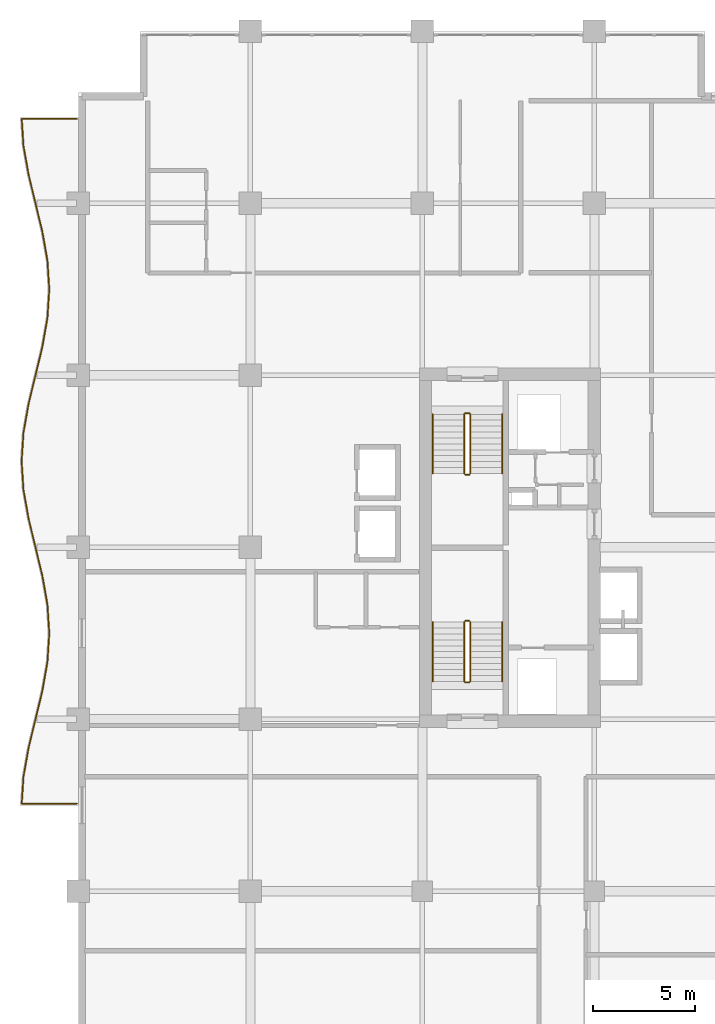
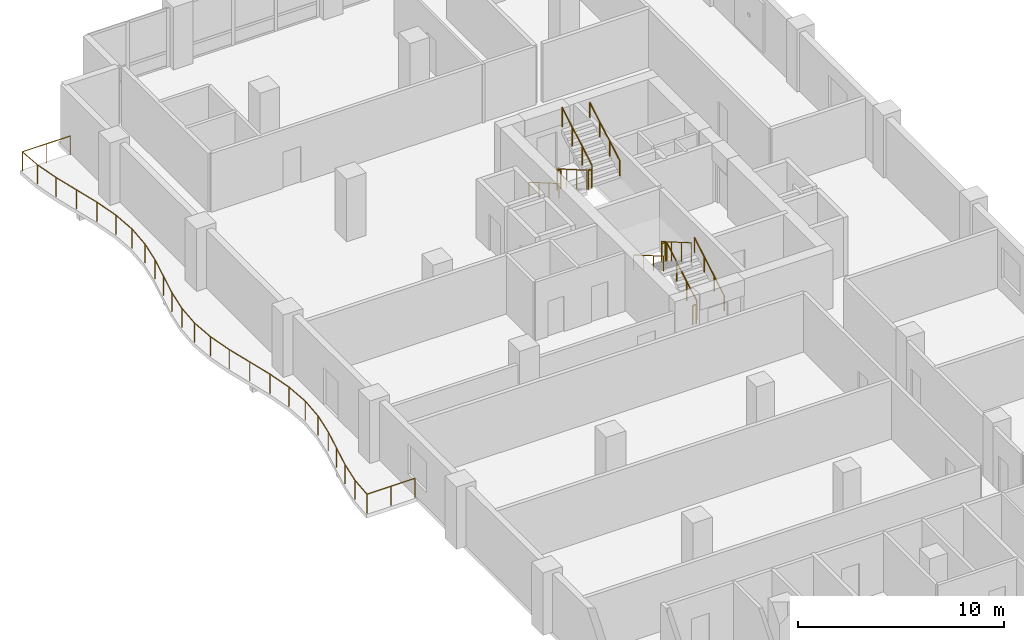
# One storey, part 17 of 18: 13 railings.
"""IFC4 building model written with IfcOpenShell, lengths in metres."""

from ifc_helpers import new_model, si_unit, direction, frame, origin, origin_2d, place, context, subcontext, project, spatial, circle, extrude, material, type_object, element, save


model = new_model("IFC4")

# Units and contexts
model_context = context("Model", 3, precision=1e-05, world=origin(), true_north=direction((0.0, 1.0)))
body_context = subcontext(model_context, "Body", "Model", "MODEL_VIEW")
ifc_project = project(units=[si_unit("LENGTHUNIT", "METRE"), si_unit("AREAUNIT", "SQUARE_METRE"), si_unit("VOLUMEUNIT", "CUBIC_METRE"), si_unit("PLANEANGLEUNIT", "RADIAN"), si_unit("MASSUNIT", "GRAM", prefix="KILO")], contexts=[model_context])

# Site, building, storey
site_placement = place(None, origin())
site = spatial("IfcSite", under=ifc_project, at=site_placement, CompositionType="ELEMENT")
building_placement = place(site_placement, origin())
building = spatial("IfcBuilding", under=site, at=building_placement, Name="Koriwani Terraces Tower", CompositionType="ELEMENT")
storey_placement = place(building_placement, frame((0.0, 0.0, 205.0)))
storey = spatial("IfcBuildingStorey", under=building, at=storey_placement, Name="L50", CompositionType="ELEMENT", Elevation=205.0)

# Railings
ifc_material = material(Name="Steel ASTM A572 Grade 50", Category="steel")
railing_type_1 = type_object("IfcRailingType", Name="GUARD_BALUSTRADE_1150", PredefinedType="BALUSTRADE", material=ifc_material)
railing_1_placement = place(storey_placement, frame((-0.080078125, 37.8798828125, 0.0)))
element("IfcRailing", 1, at=railing_1_placement, inside=storey, type_object=railing_type_1, Name="L50 Balcony Perimeter Safety Balustrade (W)", PredefinedType="BALUSTRADE", context=body_context, shape_type="SweptSolid", body=[
    extrude(circle(Radius=0.02392578125, at=origin_2d()), frame((0.0, 0.0, 1.1259765625), z_axis=(-1.0, 0.0, 0.0), x_axis=(0.0, -1.0, 0.0)), (0.0, 0.0, 1.0), 2.6845703125),
    extrude(circle(Radius=0.02392578125, at=origin_2d()), frame((-2.6845703125, 0.0, 1.1259765625), z_axis=(0.064322557637, 0.997929160101, 0.0), x_axis=(-0.997929160101, 0.064322557637, 0.0)), (0.0, 0.0, 1.0), 1.313232421875),
    extrude(circle(Radius=0.02392578125, at=origin_2d()), frame((-2.60009765625, 1.310546875, 1.1259765625), z_axis=(0.173932985997, 0.984757491153, 0.0), x_axis=(-0.984757491153, 0.173932985997, 0.0)), (0.0, 0.0, 1.0), 1.414794921875),
    extrude(circle(Radius=0.02392578125, at=origin_2d()), frame((-2.35400390625, 2.703857421875, 1.1259765625), z_axis=(0.234289744186, 0.972166814785, 0.0), x_axis=(-0.972166814785, 0.234289744186, 0.0)), (0.0, 0.0, 1.0), 2.880126953125),
    extrude(circle(Radius=0.02392578125, at=origin_2d()), frame((-1.67919921875, 5.50390625, 1.1259765625), z_axis=(0.173814583381, 0.984778396698, 0.0), x_axis=(-0.984778396698, 0.173814583381, 0.0)), (0.0, 0.0, 1.0), 1.428466796875),
    extrude(circle(Radius=0.02392578125, at=origin_2d()), frame((-1.430908203125, 6.91064453125, 1.1259765625), z_axis=(0.064304534842, 0.997930321615, 0.0), x_axis=(-0.997930321615, 0.064304534842, 0.0)), (0.0, 0.0, 1.0), 1.412353515625),
    extrude(circle(Radius=0.02392578125, at=origin_2d()), frame((-1.340087890625, 8.320068359375, 1.1259765625), z_axis=(-0.064293443969, 0.997931036226, 0.0), x_axis=(-0.997931036226, -0.064293443969, 0.0)), (0.0, 0.0, 1.0), 1.41259765625),
    extrude(circle(Radius=0.02392578125, at=origin_2d()), frame((-1.430908203125, 9.729736328125, 1.1259765625), z_axis=(-0.173814583381, 0.984778396698, 0.0), x_axis=(-0.984778396698, -0.173814583381, 0.0)), (0.0, 0.0, 1.0), 1.428466796875),
    extrude(circle(Radius=0.02392578125, at=origin_2d()), frame((-1.67919921875, 11.136474609375, 1.1259765625), z_axis=(-0.234289744186, 0.972166814785, 0.0), x_axis=(-0.972166814785, -0.234289744186, 0.0)), (0.0, 0.0, 1.0), 2.880126953125),
    extrude(circle(Radius=0.02392578125, at=origin_2d()), frame((-2.35400390625, 13.9365234375, 1.1259765625), z_axis=(-0.173932985997, 0.984757491153, 0.0), x_axis=(-0.984757491153, -0.173932985997, 0.0)), (0.0, 0.0, 1.0), 1.414794921875),
    extrude(circle(Radius=0.02392578125, at=origin_2d()), frame((-2.60009765625, 15.329833984375, 1.1259765625), z_axis=(-0.064309099225, 0.997930027485, 0.0), x_axis=(-0.997930027485, -0.064309099225, 0.0)), (0.0, 0.0, 1.0), 1.393310546875),
    extrude(circle(Radius=0.02392578125, at=origin_2d()), frame((-2.689697265625, 16.72021484375, 1.1259765625), z_axis=(0.064309099225, 0.997930027485, 0.0), x_axis=(-0.997930027485, 0.064309099225, 0.0)), (0.0, 0.0, 1.0), 1.393310546875),
    extrude(circle(Radius=0.02392578125, at=origin_2d()), frame((-2.60009765625, 18.110595703125, 1.1259765625), z_axis=(0.173932985997, 0.984757491153, 0.0), x_axis=(-0.984757491153, 0.173932985997, 0.0)), (0.0, 0.0, 1.0), 1.414794921875),
    extrude(circle(Radius=0.02392578125, at=origin_2d()), frame((-2.35400390625, 19.50390625, 1.1259765625), z_axis=(0.234309052487, 0.97216216133, 0.0), x_axis=(-0.97216216133, 0.234309052487, 0.0)), (0.0, 0.0, 1.0), 2.8798828125),
    extrude(circle(Radius=0.02392578125, at=origin_2d()), frame((-1.67919921875, 22.3037109375, 1.1259765625), z_axis=(0.173785333909, 0.984783558818, 0.0), x_axis=(-0.984783558818, 0.173785333909, 0.0)), (0.0, 0.0, 1.0), 1.4287109375),
    extrude(circle(Radius=0.02392578125, at=origin_2d()), frame((-1.430908203125, 23.710693359375, 1.1259765625), z_axis=(0.064304534842, 0.997930321615, 0.0), x_axis=(-0.997930321615, 0.064304534842, 0.0)), (0.0, 0.0, 1.0), 1.412353515625),
    extrude(circle(Radius=0.02392578125, at=origin_2d()), frame((-1.340087890625, 25.1201171875, 1.1259765625), z_axis=(-0.064304534842, 0.997930321615, 0.0), x_axis=(-0.997930321615, -0.064304534842, 0.0)), (0.0, 0.0, 1.0), 1.412353515625),
    extrude(circle(Radius=0.02392578125, at=origin_2d()), frame((-1.430908203125, 26.529541015625, 1.1259765625), z_axis=(-0.173785333909, 0.984783558818, 0.0), x_axis=(-0.984783558818, -0.173785333909, 0.0)), (0.0, 0.0, 1.0), 1.4287109375),
    extrude(circle(Radius=0.02392578125, at=origin_2d()), frame((-1.67919921875, 27.9365234375, 1.1259765625), z_axis=(-0.234309052487, 0.97216216133, 0.0), x_axis=(-0.97216216133, -0.234309052487, 0.0)), (0.0, 0.0, 1.0), 2.8798828125),
    extrude(circle(Radius=0.02392578125, at=origin_2d()), frame((-2.35400390625, 30.736328125, 1.1259765625), z_axis=(-0.173932985997, 0.984757491153, 0.0), x_axis=(-0.984757491153, -0.173932985997, 0.0)), (0.0, 0.0, 1.0), 1.414794921875),
    extrude(circle(Radius=0.02392578125, at=origin_2d()), frame((-2.60009765625, 32.129638671875, 1.1259765625), z_axis=(-0.064322557637, 0.997929160101, 0.0), x_axis=(-0.997929160101, -0.064322557637, 0.0)), (0.0, 0.0, 1.0), 1.313232421875),
    extrude(circle(Radius=0.02392578125, at=origin_2d()), frame((-2.6845703125, 33.440185546875, 1.1259765625), z_axis=(1.0, 0.0, 0.0), x_axis=(0.0, 1.0, 0.0)), (0.0, 0.0, 1.0), 2.6845703125),
    extrude(circle(Radius=0.02099609375, at=origin_2d()), origin(), (0.0, 0.0, 1.0), 1.101806640625),
    extrude(circle(Radius=0.02099609375, at=origin_2d()), frame((-1.34228515625, 0.0, 0.0)), (0.0, 0.0, 1.0), 1.101806640625),
    extrude(circle(Radius=0.02099609375, at=origin_2d()), frame((-2.6845703125, 0.0, 0.0)), (0.0, 0.0, 1.0), 1.101806640625),
    extrude(circle(Radius=0.02099609375, at=origin_2d()), frame((-2.60009765625, 1.310546875, 0.0)), (0.0, 0.0, 1.0), 1.101806640625),
    extrude(circle(Radius=0.02099609375, at=origin_2d()), frame((-2.35400390625, 2.703857421875, 0.0)), (0.0, 0.0, 1.0), 1.101806640625),
    extrude(circle(Radius=0.02099609375, at=origin_2d()), frame((-2.0166015625, 4.10400390625, 0.0)), (0.0, 0.0, 1.0), 1.101806640625),
    extrude(circle(Radius=0.02099609375, at=origin_2d()), frame((-1.67919921875, 5.50390625, 0.0)), (0.0, 0.0, 1.0), 1.101806640625),
    extrude(circle(Radius=0.02099609375, at=origin_2d()), frame((-1.430908203125, 6.91064453125, 0.0)), (0.0, 0.0, 1.0), 1.101806640625),
    extrude(circle(Radius=0.02099609375, at=origin_2d()), frame((-1.340087890625, 8.320068359375, 0.0)), (0.0, 0.0, 1.0), 1.101806640625),
    extrude(circle(Radius=0.02099609375, at=origin_2d()), frame((-1.430908203125, 9.729736328125, 0.0)), (0.0, 0.0, 1.0), 1.101806640625),
    extrude(circle(Radius=0.02099609375, at=origin_2d()), frame((-1.67919921875, 11.136474609375, 0.0)), (0.0, 0.0, 1.0), 1.101806640625),
    extrude(circle(Radius=0.02099609375, at=origin_2d()), frame((-2.0166015625, 12.53662109375, 0.0)), (0.0, 0.0, 1.0), 1.101806640625),
    extrude(circle(Radius=0.02099609375, at=origin_2d()), frame((-2.35400390625, 13.9365234375, 0.0)), (0.0, 0.0, 1.0), 1.101806640625),
    extrude(circle(Radius=0.02099609375, at=origin_2d()), frame((-2.60009765625, 15.329833984375, 0.0)), (0.0, 0.0, 1.0), 1.101806640625),
    extrude(circle(Radius=0.02099609375, at=origin_2d()), frame((-2.689697265625, 16.72021484375, 0.0)), (0.0, 0.0, 1.0), 1.101806640625),
    extrude(circle(Radius=0.02099609375, at=origin_2d()), frame((-2.60009765625, 18.110595703125, 0.0)), (0.0, 0.0, 1.0), 1.101806640625),
    extrude(circle(Radius=0.02099609375, at=origin_2d()), frame((-2.35400390625, 19.50390625, 0.0)), (0.0, 0.0, 1.0), 1.101806640625),
    extrude(circle(Radius=0.02099609375, at=origin_2d()), frame((-2.0166015625, 20.90380859375, 0.0)), (0.0, 0.0, 1.0), 1.101806640625),
    extrude(circle(Radius=0.02099609375, at=origin_2d()), frame((-1.67919921875, 22.3037109375, 0.0)), (0.0, 0.0, 1.0), 1.101806640625),
    extrude(circle(Radius=0.02099609375, at=origin_2d()), frame((-1.430908203125, 23.710693359375, 0.0)), (0.0, 0.0, 1.0), 1.101806640625),
    extrude(circle(Radius=0.02099609375, at=origin_2d()), frame((-1.340087890625, 25.1201171875, 0.0)), (0.0, 0.0, 1.0), 1.101806640625),
    extrude(circle(Radius=0.02099609375, at=origin_2d()), frame((-1.430908203125, 26.529541015625, 0.0)), (0.0, 0.0, 1.0), 1.101806640625),
    extrude(circle(Radius=0.02099609375, at=origin_2d()), frame((-1.67919921875, 27.9365234375, 0.0)), (0.0, 0.0, 1.0), 1.101806640625),
    extrude(circle(Radius=0.02099609375, at=origin_2d()), frame((-2.0166015625, 29.33642578125, 0.0)), (0.0, 0.0, 1.0), 1.101806640625),
    extrude(circle(Radius=0.02099609375, at=origin_2d()), frame((-2.35400390625, 30.736328125, 0.0)), (0.0, 0.0, 1.0), 1.101806640625),
    extrude(circle(Radius=0.02099609375, at=origin_2d()), frame((-2.60009765625, 32.129638671875, 0.0)), (0.0, 0.0, 1.0), 1.101806640625),
    extrude(circle(Radius=0.02099609375, at=origin_2d()), frame((-2.6845703125, 33.440185546875, 0.0)), (0.0, 0.0, 1.0), 1.101806640625),
    extrude(circle(Radius=0.02099609375, at=origin_2d()), frame((-1.34228515625, 33.440185546875, 0.0)), (0.0, 0.0, 1.0), 1.101806640625),
    extrude(circle(Radius=0.02099609375, at=origin_2d()), frame((0.0, 33.440185546875, 0.0)), (0.0, 0.0, 1.0), 1.101806640625),
])
railing_type_2 = type_object("IfcRailingType", Name="GUARD_STAIR_WELL_1120", PredefinedType="GUARDRAIL", material=ifc_material)
railing_2_placement = place(storey_placement, frame((19.14990234375, 43.85009765625, 0.168212890625)))
element("IfcRailing", 2, at=railing_2_placement, inside=storey, type_object=railing_type_2, Name="L50 ST-W1 stair guard 1", PredefinedType="GUARDRAIL", context=body_context, shape_type="SweptSolid", body=[
    extrude(circle(Radius=0.02392578125, at=origin_2d()), frame((0.0, 0.0, 1.1259765625), z_axis=(0.0, 0.865038774852, 0.501705010941), x_axis=(-1.0, 0.0, 0.0)), (0.0, 0.0, 1.0), 3.352294921875),
    extrude(circle(Radius=0.02099609375, at=origin_2d()), origin(), (0.0, 0.0, 1.0), 1.101806640625),
    extrude(circle(Radius=0.02099609375, at=origin_2d()), frame((0.0, 0.966552734375, 0.560546875)), (0.0, 0.0, 1.0), 1.101806640625),
    extrude(circle(Radius=0.02099609375, at=origin_2d()), frame((0.0, 1.933349609375, 1.121337890625)), (0.0, 0.0, 1.0), 1.101806640625),
    extrude(circle(Radius=0.02099609375, at=origin_2d()), frame((0.0, 2.89990234375, 1.681884765625)), (0.0, 0.0, 1.0), 1.101806640625),
])
railing_3_placement = place(storey_placement, frame((19.10009765625, 46.800048828125, 1.85009765625)))
element("IfcRailing", 3, at=railing_3_placement, inside=storey, type_object=railing_type_2, Name="L50 ST-W1 stair guard 2", PredefinedType="GUARDRAIL", context=body_context, shape_type="SweptSolid", body=[
    extrude(circle(Radius=0.02392578125, at=origin_2d()), frame((0.0, 0.0, 1.1259765625), z_axis=(-1.0, 0.0, 0.0), x_axis=(0.0, -1.0, 0.0)), (0.0, 0.0, 1.0), 0.2001953125),
    extrude(circle(Radius=0.02099609375, at=origin_2d()), origin(), (0.0, 0.0, 1.0), 1.101806640625),
    extrude(circle(Radius=0.02099609375, at=origin_2d()), frame((-0.2001953125, 0.0, 0.0)), (0.0, 0.0, 1.0), 1.101806640625),
])
railing_4_placement = place(storey_placement, frame((18.85009765625, 46.75, 2.01806640625)))
element("IfcRailing", 4, at=railing_4_placement, inside=storey, type_object=railing_type_2, Name="L50 ST-W1 stair guard 3", PredefinedType="GUARDRAIL", context=body_context, shape_type="SweptSolid", body=[
    extrude(circle(Radius=0.02392578125, at=origin_2d()), frame((0.0, 0.0, 1.1259765625), z_axis=(0.0, -0.865038774852, 0.501705010941), x_axis=(1.0, 0.0, 0.0)), (0.0, 0.0, 1.0), 3.352294921875),
    extrude(circle(Radius=0.02099609375, at=origin_2d()), origin(), (0.0, 0.0, 1.0), 1.101806640625),
    extrude(circle(Radius=0.02099609375, at=origin_2d()), frame((0.0, -0.966552734375, 0.560546875)), (0.0, 0.0, 1.0), 1.101806640625),
    extrude(circle(Radius=0.02099609375, at=origin_2d()), frame((0.0, -1.933349609375, 1.121337890625)), (0.0, 0.0, 1.0), 1.101806640625),
    extrude(circle(Radius=0.02099609375, at=origin_2d()), frame((0.0, -2.89990234375, 1.681884765625)), (0.0, 0.0, 1.0), 1.101806640625),
])
railing_5_placement = place(storey_placement, frame((19.10009765625, 43.800048828125, 0.0)))
element("IfcRailing", 5, at=railing_5_placement, inside=storey, type_object=railing_type_2, Name="L50 ST-W1 stair guard 4", PredefinedType="GUARDRAIL", context=body_context, shape_type="SweptSolid", body=[
    extrude(circle(Radius=0.02392578125, at=origin_2d()), frame((0.0, 0.0, 1.1259765625), z_axis=(-1.0, 0.0, 0.0), x_axis=(0.0, -1.0, 0.0)), (0.0, 0.0, 1.0), 0.2001953125),
    extrude(circle(Radius=0.02099609375, at=origin_2d()), origin(), (0.0, 0.0, 1.0), 1.101806640625),
    extrude(circle(Radius=0.02099609375, at=origin_2d()), frame((-0.2001953125, 0.0, 0.0)), (0.0, 0.0, 1.0), 1.101806640625),
])
railing_6_placement = place(storey_placement, frame((18.85009765625, 56.89990234375, 0.168212890625)))
element("IfcRailing", 6, at=railing_6_placement, inside=storey, type_object=railing_type_2, Name="L50 ST-W2 stair guard 1", PredefinedType="GUARDRAIL", context=body_context, shape_type="SweptSolid", body=[
    extrude(circle(Radius=0.02392578125, at=origin_2d()), frame((0.0, 0.0, 1.1259765625), z_axis=(0.0, -0.865038774852, 0.501705010941), x_axis=(1.0, 0.0, 0.0)), (0.0, 0.0, 1.0), 3.352294921875),
    extrude(circle(Radius=0.02099609375, at=origin_2d()), origin(), (0.0, 0.0, 1.0), 1.101806640625),
    extrude(circle(Radius=0.02099609375, at=origin_2d()), frame((0.0, -0.966552734375, 0.560546875)), (0.0, 0.0, 1.0), 1.101806640625),
    extrude(circle(Radius=0.02099609375, at=origin_2d()), frame((0.0, -1.933349609375, 1.121337890625)), (0.0, 0.0, 1.0), 1.101806640625),
    extrude(circle(Radius=0.02099609375, at=origin_2d()), frame((0.0, -2.89990234375, 1.681884765625)), (0.0, 0.0, 1.0), 1.101806640625),
])
railing_7_placement = place(storey_placement, frame((18.89990234375, 53.949951171875, 1.85009765625)))
element("IfcRailing", 7, at=railing_7_placement, inside=storey, type_object=railing_type_2, Name="L50 ST-W2 stair guard 2", PredefinedType="GUARDRAIL", context=body_context, shape_type="SweptSolid", body=[
    extrude(circle(Radius=0.02392578125, at=origin_2d()), frame((0.0, 0.0, 1.1259765625), z_axis=(1.0, 0.0, 0.0), x_axis=(0.0, 1.0, 0.0)), (0.0, 0.0, 1.0), 0.2001953125),
    extrude(circle(Radius=0.02099609375, at=origin_2d()), origin(), (0.0, 0.0, 1.0), 1.101806640625),
    extrude(circle(Radius=0.02099609375, at=origin_2d()), frame((0.2001953125, 0.0, 0.0)), (0.0, 0.0, 1.0), 1.101806640625),
])
railing_8_placement = place(storey_placement, frame((19.14990234375, 54.0, 2.01806640625)))
element("IfcRailing", 8, at=railing_8_placement, inside=storey, type_object=railing_type_2, Name="L50 ST-W2 stair guard 3", PredefinedType="GUARDRAIL", context=body_context, shape_type="SweptSolid", body=[
    extrude(circle(Radius=0.02392578125, at=origin_2d()), frame((0.0, 0.0, 1.1259765625), z_axis=(0.0, 0.865038774852, 0.501705010941), x_axis=(-1.0, 0.0, 0.0)), (0.0, 0.0, 1.0), 3.352294921875),
    extrude(circle(Radius=0.02099609375, at=origin_2d()), origin(), (0.0, 0.0, 1.0), 1.101806640625),
    extrude(circle(Radius=0.02099609375, at=origin_2d()), frame((0.0, 0.966552734375, 0.560546875)), (0.0, 0.0, 1.0), 1.101806640625),
    extrude(circle(Radius=0.02099609375, at=origin_2d()), frame((0.0, 1.933349609375, 1.121337890625)), (0.0, 0.0, 1.0), 1.101806640625),
    extrude(circle(Radius=0.02099609375, at=origin_2d()), frame((0.0, 2.89990234375, 1.681884765625)), (0.0, 0.0, 1.0), 1.101806640625),
])
railing_9_placement = place(storey_placement, frame((18.89990234375, 56.949951171875, 0.0)))
element("IfcRailing", 9, at=railing_9_placement, inside=storey, type_object=railing_type_2, Name="L50 ST-W2 stair guard 4", PredefinedType="GUARDRAIL", context=body_context, shape_type="SweptSolid", body=[
    extrude(circle(Radius=0.02392578125, at=origin_2d()), frame((0.0, 0.0, 1.1259765625), z_axis=(1.0, 0.0, 0.0), x_axis=(0.0, 1.0, 0.0)), (0.0, 0.0, 1.0), 0.2001953125),
    extrude(circle(Radius=0.02099609375, at=origin_2d()), origin(), (0.0, 0.0, 1.0), 1.101806640625),
    extrude(circle(Radius=0.02099609375, at=origin_2d()), frame((0.2001953125, 0.0, 0.0)), (0.0, 0.0, 1.0), 1.101806640625),
])
railing_type_3 = type_object("IfcRailingType", Name="HANDRAIL_STAIR_920", PredefinedType="HANDRAIL", material=ifc_material)
railing_10_placement = place(storey_placement, frame((20.699951171875, 43.85009765625, 0.168212890625)))
element("IfcRailing", 10, at=railing_10_placement, inside=storey, type_object=railing_type_3, Name="L50 ST-W1 stair handrail 1", PredefinedType="HANDRAIL", context=body_context, shape_type="SweptSolid", body=[
    extrude(circle(Radius=0.02392578125, at=origin_2d()), frame((0.0, 0.0, 0.8759765625), z_axis=(0.0, 0.865038774852, 0.501705010941), x_axis=(-1.0, 0.0, 0.0)), (0.0, 0.0, 1.0), 3.352294921875),
    extrude(circle(Radius=0.02099609375, at=origin_2d()), origin(), (0.0, 0.0, 1.0), 0.851806640625),
    extrude(circle(Radius=0.02099609375, at=origin_2d()), frame((0.0, 0.966552734375, 0.560546875)), (0.0, 0.0, 1.0), 0.851806640625),
    extrude(circle(Radius=0.02099609375, at=origin_2d()), frame((0.0, 1.933349609375, 1.121337890625)), (0.0, 0.0, 1.0), 0.851806640625),
    extrude(circle(Radius=0.02099609375, at=origin_2d()), frame((0.0, 2.89990234375, 1.681884765625)), (0.0, 0.0, 1.0), 0.851806640625),
])
for number, where, name in (
    (11, (17.300048828125, 46.75, 2.01806640625), "L50 ST-W1 stair handrail 2"),
    (12, (17.300048828125, 56.89990234375, 0.168212890625), "L50 ST-W2 stair handrail 1"),
):
    element("IfcRailing", number, at=place(storey_placement, frame(where)), inside=storey, type_object=railing_type_3, Name=name, PredefinedType="HANDRAIL", context=body_context, shape_type="SweptSolid", body=[
        extrude(circle(Radius=0.02392578125, at=origin_2d()), frame((0.0, 0.0, 0.8759765625), z_axis=(0.0, -0.865038774852, 0.501705010941), x_axis=(1.0, 0.0, 0.0)), (0.0, 0.0, 1.0), 3.352294921875),
        extrude(circle(Radius=0.02099609375, at=origin_2d()), origin(), (0.0, 0.0, 1.0), 0.851806640625),
        extrude(circle(Radius=0.02099609375, at=origin_2d()), frame((0.0, -0.966552734375, 0.560546875)), (0.0, 0.0, 1.0), 0.851806640625),
        extrude(circle(Radius=0.02099609375, at=origin_2d()), frame((0.0, -1.933349609375, 1.121337890625)), (0.0, 0.0, 1.0), 0.851806640625),
        extrude(circle(Radius=0.02099609375, at=origin_2d()), frame((0.0, -2.89990234375, 1.681884765625)), (0.0, 0.0, 1.0), 0.851806640625),
    ])
railing_11_placement = place(storey_placement, frame((20.699951171875, 54.0, 2.01806640625)))
element("IfcRailing", 13, at=railing_11_placement, inside=storey, type_object=railing_type_3, Name="L50 ST-W2 stair handrail 2", PredefinedType="HANDRAIL", context=body_context, shape_type="SweptSolid", body=[
    extrude(circle(Radius=0.02392578125, at=origin_2d()), frame((0.0, 0.0, 0.8759765625), z_axis=(0.0, 0.865038774852, 0.501705010941), x_axis=(-1.0, 0.0, 0.0)), (0.0, 0.0, 1.0), 3.352294921875),
    extrude(circle(Radius=0.02099609375, at=origin_2d()), origin(), (0.0, 0.0, 1.0), 0.851806640625),
    extrude(circle(Radius=0.02099609375, at=origin_2d()), frame((0.0, 0.966552734375, 0.560546875)), (0.0, 0.0, 1.0), 0.851806640625),
    extrude(circle(Radius=0.02099609375, at=origin_2d()), frame((0.0, 1.933349609375, 1.121337890625)), (0.0, 0.0, 1.0), 0.851806640625),
    extrude(circle(Radius=0.02099609375, at=origin_2d()), frame((0.0, 2.89990234375, 1.681884765625)), (0.0, 0.0, 1.0), 0.851806640625),
])

save(model, "model.ifc")
